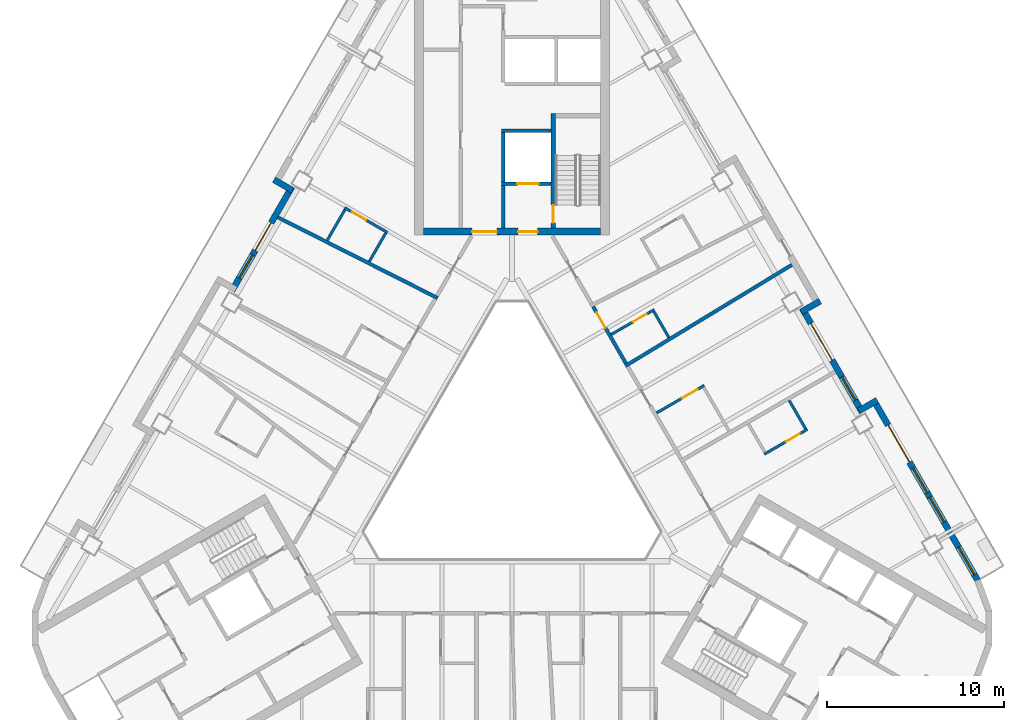
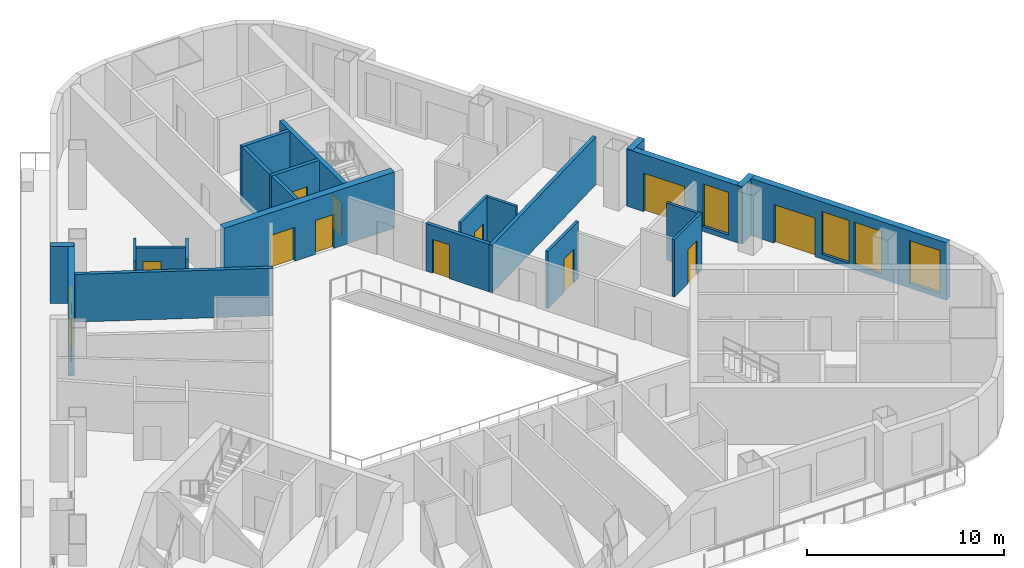
# One storey, part 6 of 14: 23 walls, 12 doors, 5 windows, 17 openings.
"""IFC4 building model written with IfcOpenShell, lengths in metres."""

import ifcopenshell
import ifcopenshell.guid

model = None  # the IFC model being written
_history = None  # IfcOwnerHistory: only IFC2X3 demands one
_inside = {}  # id of a spatial element -> (the spatial element, [elements in it])
_under = {}  # id of a project, library or spatial element -> (it, [spatial elements below it])
_declared = {}  # id of a project -> (the project, [libraries it declares])
_typed = {}  # id of a type object -> (the type object, [elements of that type])
_made_of = {}  # id of a material, layer set ... -> (it, [elements and type objects made of it])


def new_model(schema):
    """Start an empty IFC model of exactly this schema.

    Asked for "IFC4X3", IfcOpenShell would pick the latest addendum, in which some entities
    have other attributes; the version numbers below select the first issue.
    IFC2X3 requires an IfcOwnerHistory on every rooted entity: one is made here for all.
    """
    global model, _history
    if schema == "IFC4X3":
        model = ifcopenshell.file(schema_version=(4, 3, 0, 0))
    else:
        model = ifcopenshell.file(schema=schema)
    _inside.clear()
    _under.clear()
    _declared.clear()
    _typed.clear()
    _made_of.clear()
    _history = None
    if model.schema == "IFC2X3":
        org = make("IfcOrganization", Name="unknown")
        user = make(
            "IfcPersonAndOrganization",
            ThePerson=make("IfcPerson", FamilyName="unknown"),
            TheOrganization=org,
        )
        app = make(
            "IfcApplication",
            ApplicationDeveloper=org,
            Version="unknown",
            ApplicationFullName="unknown",
            ApplicationIdentifier="unknown",
        )
        _history = make(
            "IfcOwnerHistory",
            OwningUser=user,
            OwningApplication=app,
            ChangeAction="ADDED",
            CreationDate=0,
        )
    return model


def make(cls, **values):
    """One entity of the class cls with the attributes given. An attribute that is None is left unset."""
    return model.create_entity(
        cls, **{name: value for name, value in values.items() if value is not None}
    )


def rooted(cls, **values):
    """An entity with a GlobalId (a new one), such as an element, a storey or a relation."""
    return make(cls, GlobalId=ifcopenshell.guid.new(), OwnerHistory=_history, **values)


def si_unit(unit_type, name, prefix=None):
    """IfcSIUnit, for example si_unit("LENGTHUNIT", "METRE", prefix="MILLI")."""
    return make("IfcSIUnit", UnitType=unit_type, Prefix=prefix, Name=name)


def assignment(units):
    """IfcUnitAssignment: the units of a project."""
    return None if units is None else make("IfcUnitAssignment", Units=units)


def point(xyz):
    """IfcCartesianPoint."""
    return None if xyz is None else make("IfcCartesianPoint", Coordinates=xyz)


def direction(xyz):
    """IfcDirection."""
    return None if xyz is None else make("IfcDirection", DirectionRatios=xyz)


def frame(location, z_axis=None, x_axis=None):
    """IfcAxis2Placement3D, a coordinate frame: its origin and axes. An axis left out is left unset."""
    return make(
        "IfcAxis2Placement3D",
        Location=point(location),
        Axis=direction(z_axis),
        RefDirection=direction(x_axis),
    )


def frame_2d(location, x_axis=None):
    """IfcAxis2Placement2D, a coordinate frame in the plane: its origin and x axis."""
    return make(
        "IfcAxis2Placement2D", Location=point(location), RefDirection=direction(x_axis)
    )


def origin():
    """The frame at (0, 0, 0) with its axes left unset."""
    return frame((0.0, 0.0, 0.0))


def place(relative_to, where):
    """IfcLocalPlacement: puts the frame where relative to a parent placement (None: the world)."""
    return make(
        "IfcLocalPlacement", PlacementRelTo=relative_to, RelativePlacement=where
    )


def context(
    kind, dimensions, precision=None, world=None, true_north=None, identifier=None
):
    """IfcGeometricRepresentationContext, for example the 3D "Model" context."""
    return make(
        "IfcGeometricRepresentationContext",
        ContextIdentifier=identifier,
        ContextType=kind,
        CoordinateSpaceDimension=dimensions,
        Precision=precision,
        WorldCoordinateSystem=world,
        TrueNorth=true_north,
    )


def subcontext(parent, identifier, kind, view, scale=None):
    """IfcGeometricRepresentationSubContext, for example "Body" below "Model"."""
    return make(
        "IfcGeometricRepresentationSubContext",
        ContextIdentifier=identifier,
        ContextType=kind,
        ParentContext=parent,
        TargetScale=scale,
        TargetView=view,
    )


def project(units=None, contexts=None):
    """IfcProject with its units and contexts."""
    return rooted(
        "IfcProject",
        Name="project",
        RepresentationContexts=contexts,
        UnitsInContext=assignment(units),
    )


def spatial(cls, under=None, at=None, **own):
    """A site, building, storey or space (cls), placed at a placement, below another one or the project."""
    s = rooted(cls, ObjectPlacement=at, **own)
    if under is not None:
        _under.setdefault(under.id(), (under, []))[1].append(s)
    return s


def profile(cls, at=None, kind="AREA", **sizes):
    """A parametric profile (cls). Its sizes go by their IFC names, for example OverallWidth=200.0."""
    return make(cls, ProfileType=kind, Position=at, **sizes)


def rectangle(**sizes):
    """IfcRectangleProfileDef."""
    return profile("IfcRectangleProfileDef", **sizes)


def extrude(swept, where, along, depth):
    """IfcExtrudedAreaSolid: the profile swept, set in the frame where, extruded along a direction by depth."""
    return make(
        "IfcExtrudedAreaSolid",
        SweptArea=swept,
        Position=where,
        ExtrudedDirection=direction(along),
        Depth=depth,
    )


def shape(context_of_items, identifier, shape_type, items):
    """IfcShapeRepresentation: the items that make up one representation, for example the "Body"."""
    return make(
        "IfcShapeRepresentation",
        ContextOfItems=context_of_items,
        RepresentationIdentifier=identifier,
        RepresentationType=shape_type,
        Items=items,
    )


def material(Name=None, Category=None):
    """IfcMaterial."""
    return make("IfcMaterial", Name=Name, Category=Category)


def layer(
    of_material, thickness, ventilated=None, Name=None, Category=None, Priority=None
):
    """IfcMaterialLayer: one layer of a wall or slab, of a material (None: an air gap)."""
    return make(
        "IfcMaterialLayer",
        Material=of_material,
        LayerThickness=thickness,
        IsVentilated=ventilated,
        Name=Name,
        Category=Category,
        Priority=Priority,
    )


def layer_set(layers, Name=None):
    """IfcMaterialLayerSet."""
    return make("IfcMaterialLayerSet", MaterialLayers=layers, LayerSetName=Name)


def made_of(thing, what):
    """Note that an element or type object is made of a material, layer set ...; save() writes the relation."""
    if what is not None:
        _made_of.setdefault(what.id(), (what, []))[1].append(thing)
    return thing


def type_object(cls, material=None, **own):
    """A type object (cls), such as IfcWallType, which elements share."""
    return made_of(rooted(cls, **own), material)


def element(
    cls,
    number,
    at=None,
    inside=None,
    cuts=None,
    type_object=None,
    material=None,
    context=None,
    identifier="Body",
    shape_type=None,
    held_by="IfcProductDefinitionShape",
    body=None,
    shapes=None,
    **own,
):
    """One element of the class cls, such as IfcWall. Its Tag is "e" and its number.

    at: its placement. inside: the storey or other place that contains it. cuts: it is an
    opening in that element (IfcRelVoidsElement). A single representation is given by context,
    identifier, shape_type and body (its items); several are given by shapes. held_by: the class
    of the entity that holds the representations. save() writes the other relations.
    """
    e = rooted(cls, Tag="e%d" % number, ObjectPlacement=at, **own)
    if body is not None:
        shapes = [shape(context, identifier, shape_type, body)]
    if shapes is not None:
        e.Representation = make(held_by, Representations=shapes)
    if inside is not None:
        _inside.setdefault(inside.id(), (inside, []))[1].append(e)
    if cuts is not None:
        rooted(
            "IfcRelVoidsElement", RelatingBuildingElement=cuts, RelatedOpeningElement=e
        )
    if type_object is not None:
        _typed.setdefault(type_object.id(), (type_object, []))[1].append(e)
    return made_of(e, material)


def fill(opening, filler):
    """IfcRelFillsElement: the door or window that sits in an opening."""
    return rooted(
        "IfcRelFillsElement",
        RelatingOpeningElement=opening,
        RelatedBuildingElement=filler,
    )


def aggregate(whole, parts):
    """IfcRelAggregates: a whole, such as a stair, and the parts it consists of."""
    return rooted("IfcRelAggregates", RelatingObject=whole, RelatedObjects=parts)


def save(model, path):
    """Write the relations noted so far, then the file.

    IfcRelAggregates (storeys below a building ...), IfcRelContainedInSpatialStructure (elements
    in a storey), IfcRelDefinesByType, IfcRelAssociatesMaterial and IfcRelDeclares: one each for
    every whole, place, type object, material and project.
    """
    for whole, parts in _under.values():
        aggregate(whole, parts)
    for where, things in _inside.values():
        rooted(
            "IfcRelContainedInSpatialStructure",
            RelatedElements=things,
            RelatingStructure=where,
        )
    for kind, things in _typed.values():
        rooted("IfcRelDefinesByType", RelatedObjects=things, RelatingType=kind)
    for what, things in _made_of.values():
        rooted("IfcRelAssociatesMaterial", RelatedObjects=things, RelatingMaterial=what)
    for by, libraries in _declared.values():
        rooted("IfcRelDeclares", RelatingContext=by, RelatedDefinitions=libraries)
    model.write(path)


model = new_model("IFC4")

# Units and contexts
model_context = context("Model", 3, precision=1e-05, world=origin(), true_north=direction((0.0, 1.0)))
body_context = subcontext(model_context, "Body", "Model", "MODEL_VIEW")
ifc_project = project(units=[si_unit("LENGTHUNIT", "METRE"), si_unit("AREAUNIT", "SQUARE_METRE"), si_unit("VOLUMEUNIT", "CUBIC_METRE"), si_unit("PLANEANGLEUNIT", "RADIAN"), si_unit("MASSUNIT", "GRAM", prefix="KILO")], contexts=[model_context])

# Site, building, storey
site_placement = place(None, origin())
site = spatial("IfcSite", under=ifc_project, at=site_placement, CompositionType="ELEMENT")
building_placement = place(site_placement, origin())
building = spatial("IfcBuilding", under=site, at=building_placement, Name="Apuvela Tower Hotel", CompositionType="ELEMENT")
storey_placement = place(building_placement, frame((0.0, 0.0, 87.199951171875)))
storey = spatial("IfcBuildingStorey", under=building, at=storey_placement, Name="L19", CompositionType="ELEMENT", Elevation=87.199951171875)

# Wall, openings, doors
ifc_material_1 = material(Name="Concrete C50/60", Category="concrete")
ifc_layer_1 = layer(ifc_material_1, 0.39990234375)
ifc_layer_set_1 = layer_set([ifc_layer_1], Name="COR-WALL-CORE-400")
wall_type_1 = type_object("IfcWallType", Name="COR-WALL-CORE-400", PredefinedType="SHEAR", material=ifc_layer_set_1)
wall_1_placement = place(storey_placement, frame((5.0, 13.10009765625, 0.0), z_axis=(0.0, 0.0, 1.0), x_axis=(-1.0, 0.0, 0.0)))
wall_1 = element("IfcWall", 1, at=wall_1_placement, inside=storey, type_object=wall_type_1, Name="Core wall N", PredefinedType="SHEAR", context=body_context, shape_type="SweptSolid", body=[
    extrude(rectangle(XDim=10.0, YDim=0.39990234375, at=frame_2d((5.0, 0.0))), origin(), (0.0, 0.0, 1.0), 3.5),
])
opening_1_placement = place(wall_1_placement, frame((3.550048828125, 0.0, 0.0)))
opening_1 = element("IfcOpeningElement", 2, at=opening_1_placement, cuts=wall_1, Name="Opening N-FD", PredefinedType="OPENING", context=body_context, shape_type="SweptSolid", body=[
    extrude(rectangle(XDim=1.10009765625, YDim=2.10009765625, at=frame_2d((0.550048828125, 1.050048828125))), frame((0.0, 0.2099609375, 0.0), z_axis=(0.0, -1.0, 0.0), x_axis=(1.0, 0.0, 0.0)), (0.0, 0.0, 1.0), 0.419921875),
])
opening_2_placement = place(wall_1_placement, frame((5.85009765625, 0.0, 0.0)))
opening_2 = element("IfcOpeningElement", 3, at=opening_2_placement, cuts=wall_1, Name="Opening N-GD", PredefinedType="OPENING", context=body_context, shape_type="SweptSolid", body=[
    extrude(rectangle(XDim=1.39990234375, YDim=2.10009765625, at=frame_2d((0.699951171875, 1.050048828125))), frame((0.0, 0.2099609375, 0.0), z_axis=(0.0, -1.0, 0.0), x_axis=(1.0, 0.0, 0.0)), (0.0, 0.0, 1.0), 0.419921875),
])
ifc_material_2 = material(Name="Steel fire door, powder coated", Category="steel")
door_type_1 = type_object("IfcDoorType", Name="COR-FD-1100", OperationType="NOTDEFINED", PredefinedType="DOOR", material=ifc_material_2)
door_1_placement = place(opening_1_placement, frame((1.10009765625, 0.0, 0.0), z_axis=(0.0, 0.0, 1.0), x_axis=(-1.0, 0.0, 0.0)))
door_1 = element("IfcDoor", 4, at=door_1_placement, inside=storey, type_object=door_type_1, Name="Firefighting lobby door N-FD", OperationType="SINGLE_SWING_LEFT", OverallHeight=2.10009765625, OverallWidth=1.10009765625, PredefinedType="DOOR", context=body_context, shape_type="SweptSolid", body=[
    extrude(rectangle(XDim=1.10009765625, YDim=2.10009765625, at=frame_2d((0.550048828125, 1.050048828125))), frame((0.0, 0.02490234375, 0.0), z_axis=(0.0, -1.0, 0.0), x_axis=(1.0, 0.0, 0.0)), (0.0, 0.0, 1.0), 0.050048828125),
])
fill(opening_1, door_1)
ifc_material_3 = material(Name="Glazed steel fire door", Category="steel")
door_type_2 = type_object("IfcDoorType", Name="COR-GD-1400", OperationType="DOUBLE_DOOR_SINGLE_SWING", PredefinedType="DOOR", material=ifc_material_3)
door_2_placement = place(opening_2_placement, frame((1.39990234375, 0.0, 0.0), z_axis=(0.0, 0.0, 1.0), x_axis=(-1.0, 0.0, 0.0)))
door_2 = element("IfcDoor", 5, at=door_2_placement, inside=storey, type_object=door_type_2, Name="Lift lobby door N-GD", OperationType="DOUBLE_DOOR_SINGLE_SWING", OverallHeight=2.10009765625, OverallWidth=1.39990234375, PredefinedType="DOOR", context=body_context, shape_type="SweptSolid", body=[
    extrude(rectangle(XDim=1.39990234375, YDim=2.10009765625, at=frame_2d((0.699951171875, 1.050048828125))), frame((0.0, 0.02490234375, 0.0), z_axis=(0.0, -1.0, 0.0), x_axis=(1.0, 0.0, 0.0)), (0.0, 0.0, 1.0), 0.050048828125),
])
fill(opening_2, door_2)

# Wall
ifc_layer_2 = layer(ifc_material_1, 0.199951171875)
ifc_layer_set_2 = layer_set([ifc_layer_2], Name="COR-WALL-SHAFT-200")
wall_type_2 = type_object("IfcWallType", Name="COR-WALL-SHAFT-200", PredefinedType="SHEAR", material=ifc_layer_set_2)
wall_2_placement = place(storey_placement, frame((2.199951171875, 18.800048828125, 0.0), z_axis=(0.0, 0.0, 1.0), x_axis=(-1.0, 0.0, 0.0)))
element("IfcWall", 6, at=wall_2_placement, inside=storey, type_object=wall_type_2, Name="Shaft wall N", PredefinedType="SHEAR", context=body_context, shape_type="SweptSolid", body=[
    extrude(rectangle(XDim=2.800048828125, YDim=0.199951171875, at=frame_2d((1.39990234375, 0.0))), origin(), (0.0, 0.0, 1.0), 3.5),
])

# Wall, opening, door
wall_3_placement = place(storey_placement, frame((2.199951171875, 15.800048828125, 0.0), z_axis=(0.0, 0.0, 1.0), x_axis=(-1.0, 0.0, 0.0)))
wall_3 = element("IfcWall", 7, at=wall_3_placement, inside=storey, type_object=wall_type_2, Name="Shaft wall N", PredefinedType="SHEAR", context=body_context, shape_type="SweptSolid", body=[
    extrude(rectangle(XDim=2.800048828125, YDim=0.199951171875, at=frame_2d((1.39990234375, 0.0))), origin(), (0.0, 0.0, 1.0), 3.5),
])
opening_3_placement = place(wall_3_placement, frame((0.699951171875, 0.0, 0.0)))
opening_3 = element("IfcOpeningElement", 8, at=opening_3_placement, cuts=wall_3, Name="Opening N-LD-FS1", PredefinedType="OPENING", context=body_context, shape_type="SweptSolid", body=[
    extrude(rectangle(XDim=1.199951171875, YDim=2.10009765625, at=frame_2d((0.60009765625, 1.050048828125))), frame((0.0, 0.10986328125, 0.0), z_axis=(0.0, -1.0, 0.0), x_axis=(1.0, 0.0, 0.0)), (0.0, 0.0, 1.0), 0.219970703125),
])
ifc_material_4 = material(Name="Stainless steel lift landing door", Category="steel")
door_type_3 = type_object("IfcDoorType", Name="COR-LD-1200", OperationType="DOUBLE_DOOR_SLIDING", PredefinedType="DOOR", material=ifc_material_4)
door_3_placement = place(opening_3_placement, origin())
door_3 = element("IfcDoor", 9, at=door_3_placement, inside=storey, type_object=door_type_3, Name="Lift landing door N-LD-FS1", OperationType="DOUBLE_DOOR_SLIDING", OverallHeight=2.10009765625, OverallWidth=1.199951171875, PredefinedType="DOOR", context=body_context, shape_type="SweptSolid", body=[
    extrude(rectangle(XDim=1.199951171875, YDim=2.10009765625, at=frame_2d((0.60009765625, 1.050048828125))), frame((0.0, 0.02490234375, 0.0), z_axis=(0.0, -1.0, 0.0), x_axis=(1.0, 0.0, 0.0)), (0.0, 0.0, 1.0), 0.050048828125),
])
fill(opening_3, door_3)

# Walls
wall_4_placement = place(storey_placement, frame((-0.5, 15.89990234375, 0.0), z_axis=(0.0, 0.0, 1.0), x_axis=(0.0, 1.0, 0.0)))
element("IfcWall", 10, at=wall_4_placement, inside=storey, type_object=wall_type_2, Name="Shaft wall N", PredefinedType="SHEAR", context=body_context, shape_type="SweptSolid", body=[
    extrude(rectangle(XDim=2.800048828125, YDim=0.199951171875, at=frame_2d((1.39990234375, 0.0))), origin(), (0.0, 0.0, 1.0), 3.5),
])
wall_5_placement = place(storey_placement, frame((-0.5, 13.300048828125, 0.0), z_axis=(0.0, 0.0, 1.0), x_axis=(0.0, 1.0, 0.0)))
element("IfcWall", 11, at=wall_5_placement, inside=storey, type_object=wall_type_2, Name="Shaft wall N", PredefinedType="SHEAR", context=body_context, shape_type="SweptSolid", body=[
    extrude(rectangle(XDim=2.39990234375, YDim=0.199951171875, at=frame_2d((1.199951171875, 0.0))), origin(), (0.0, 0.0, 1.0), 3.5),
])

# Wall, opening, door
ifc_layer_3 = layer(ifc_material_1, 0.25)
ifc_layer_set_3 = layer_set([ifc_layer_3], Name="COR-WALL-STAIR-250")
wall_type_3 = type_object("IfcWallType", Name="COR-WALL-STAIR-250", PredefinedType="SHEAR", material=ifc_layer_set_3)
wall_6_placement = place(storey_placement, frame((2.324951171875, 13.300048828125, 0.0), z_axis=(0.0, 0.0, 1.0), x_axis=(0.0, 1.0, 0.0)))
wall_6 = element("IfcWall", 12, at=wall_6_placement, inside=storey, type_object=wall_type_3, Name="Stair wall N", PredefinedType="SHEAR", context=body_context, shape_type="SweptSolid", body=[
    extrude(rectangle(XDim=6.449951171875, YDim=0.25, at=frame_2d((3.22509765625, 0.0))), origin(), (0.0, 0.0, 1.0), 3.5),
])
opening_4_placement = place(wall_6_placement, frame((0.300048828125, 0.0, 0.0)))
opening_4 = element("IfcOpeningElement", 13, at=opening_4_placement, cuts=wall_6, Name="Opening N-SD", PredefinedType="OPENING", context=body_context, shape_type="SweptSolid", body=[
    extrude(rectangle(XDim=1.0, YDim=2.10009765625, at=frame_2d((0.5, 1.050048828125))), frame((0.0, 0.135009765625, 0.0), z_axis=(0.0, -1.0, 0.0), x_axis=(1.0, 0.0, 0.0)), (0.0, 0.0, 1.0), 0.27001953125),
])
door_type_4 = type_object("IfcDoorType", Name="COR-SD-1000", OperationType="NOTDEFINED", PredefinedType="DOOR", material=ifc_material_2)
door_4_placement = place(opening_4_placement, frame((1.0, 0.0, 0.0), z_axis=(0.0, 0.0, 1.0), x_axis=(-1.0, 0.0, 0.0)))
door_4 = element("IfcDoor", 14, at=door_4_placement, inside=storey, type_object=door_type_4, Name="Stair door N-SD", OperationType="SINGLE_SWING_LEFT", OverallHeight=2.10009765625, OverallWidth=1.0, PredefinedType="DOOR", context=body_context, shape_type="SweptSolid", body=[
    extrude(rectangle(XDim=1.0, YDim=2.10009765625, at=frame_2d((0.5, 1.050048828125))), frame((0.0, 0.02490234375, 0.0), z_axis=(0.0, -1.0, 0.0), x_axis=(1.0, 0.0, 0.0)), (0.0, 0.0, 1.0), 0.050048828125),
])
fill(opening_4, door_4)

# Wall
ifc_material_5 = material(Name="Concrete C40/50, dark pigmented precast panel", Category="concrete")
ifc_layer_4 = layer(ifc_material_5, 0.35009765625)
ifc_layer_set_4 = layer_set([ifc_layer_4], Name="ENV-WALL-350")
wall_type_4 = type_object("IfcWallType", Name="ENV-WALL-350", PredefinedType="SOLIDWALL", material=ifc_layer_set_4)
wall_7_placement = place(storey_placement, frame((-13.41259765625, 16.02880859375, 0.0), z_axis=(0.0, 0.0, 1.0), x_axis=(0.866005645448, -0.500034220881, 0.0)))
element("IfcWall", 15, at=wall_7_placement, inside=storey, type_object=wall_type_4, Name="External wall L19-02", PredefinedType="SOLIDWALL", context=body_context, shape_type="SweptSolid", body=[
    extrude(rectangle(XDim=1.22021484375, YDim=0.35009765625, at=frame_2d((0.610107421875, 0.0))), origin(), (0.0, 0.0, 1.0), 3.550048828125),
])

# Wall, openings, door, window
wall_8_placement = place(storey_placement, frame((-12.408935546875, 15.616943359375, 0.0), z_axis=(0.0, 0.0, 1.0), x_axis=(-0.500003597184, -0.866023326939, 0.0)))
wall_8 = element("IfcWall", 16, at=wall_8_placement, inside=storey, type_object=wall_type_4, Name="External wall L19-03", PredefinedType="SOLIDWALL", context=body_context, shape_type="SweptSolid", body=[
    extrude(rectangle(XDim=6.740234375, YDim=0.35009765625, at=frame_2d((3.3701171875, 0.0))), origin(), (0.0, 0.0, 1.0), 3.550048828125),
])
opening_5_placement = place(wall_8_placement, frame((2.320068359375, 0.0, 0.0)))
opening_5 = element("IfcOpeningElement", 17, at=opening_5_placement, cuts=wall_8, Name="Opening BD18", PredefinedType="OPENING", context=body_context, shape_type="SweptSolid", body=[
    extrude(rectangle(XDim=1.800048828125, YDim=2.39990234375, at=frame_2d((0.89990234375, 1.199951171875))), frame((0.0, 0.18505859375, 0.0), z_axis=(0.0, -1.0, 0.0), x_axis=(1.0, 0.0, 0.0)), (0.0, 0.0, 1.0), 0.3701171875),
])
opening_6_placement = place(wall_8_placement, frame((4.419921875, 0.0, 0.300048828125)))
opening_6 = element("IfcOpeningElement", 18, at=opening_6_placement, cuts=wall_8, Name="Opening WN15", PredefinedType="OPENING", context=body_context, shape_type="SweptSolid", body=[
    extrude(rectangle(XDim=1.5, YDim=2.64990234375, at=frame_2d((0.75, 1.324951171875))), frame((0.0, 0.18505859375, 0.0), z_axis=(0.0, -1.0, 0.0), x_axis=(1.0, 0.0, 0.0)), (0.0, 0.0, 1.0), 0.3701171875),
])
ifc_material_6 = material(Name="Aluminium 6063-T6, dark bronze anodised frame with dark tinted laminated glass", Category="aluminium")
door_type_5 = type_object("IfcDoorType", Name="ENV-DOOR-BALCONY-1800x2400", OperationType="SLIDING_TO_LEFT", PredefinedType="DOOR", material=ifc_material_6)
door_5_placement = place(opening_5_placement, frame((1.800048828125, 0.0, 0.0), z_axis=(0.0, 0.0, 1.0), x_axis=(-1.0, 0.0, 0.0)))
door_5 = element("IfcDoor", 19, at=door_5_placement, inside=storey, type_object=door_type_5, Name="Balcony door BD18", OperationType="SLIDING_TO_LEFT", OverallHeight=2.39990234375, OverallWidth=1.800048828125, PredefinedType="DOOR", context=body_context, shape_type="SweptSolid", body=[
    extrude(rectangle(XDim=1.800048828125, YDim=2.39990234375, at=frame_2d((0.89990234375, 1.199951171875))), frame((0.0, 0.02490234375, 0.0), z_axis=(0.0, -1.0, 0.0), x_axis=(1.0, 0.0, 0.0)), (0.0, 0.0, 1.0), 0.050048828125),
])
fill(opening_5, door_5)
ifc_material_7 = material(Name="Glass, dark tinted laminated insulated glazing unit", Category="glass")
window_type_1 = type_object("IfcWindowType", Name="ENV-WIN-1500x2650", PartitioningType="SINGLE_PANEL", PredefinedType="WINDOW", material=ifc_material_7)
window_1_placement = place(opening_6_placement, origin())
window_1 = element("IfcWindow", 20, at=window_1_placement, inside=storey, type_object=window_type_1, Name="Window WN15", OverallHeight=2.64990234375, OverallWidth=1.5, PartitioningType="SINGLE_PANEL", PredefinedType="WINDOW", context=body_context, shape_type="SweptSolid", body=[
    extrude(rectangle(XDim=1.5, YDim=2.64990234375, at=frame_2d((0.75, 1.324951171875))), frame((0.0, 0.030029296875, 0.0), z_axis=(0.0, -1.0, 0.0), x_axis=(1.0, 0.0, 0.0)), (0.0, 0.0, 1.0), 0.06005859375),
])
fill(opening_6, window_1)

# Wall, openings, door, windows
wall_9_placement = place(storey_placement, frame((26.256591796875, -6.5673828125, 0.0), z_axis=(0.0, 0.0, 1.0), x_axis=(-0.500023526245, 0.866011820475, 0.0)))
wall_9 = element("IfcWall", 21, at=wall_9_placement, inside=storey, type_object=wall_type_4, Name="External wall L19-33", PredefinedType="SOLIDWALL", context=body_context, shape_type="SweptSolid", body=[
    extrude(rectangle(XDim=11.81591796875, YDim=0.35009765625, at=frame_2d((5.907958984375, 0.0))), origin(), (0.0, 0.0, 1.0), 3.550048828125),
])
opening_7_placement = place(wall_9_placement, frame((0.380126953125, 0.0, 0.300048828125)))
opening_7 = element("IfcOpeningElement", 22, at=opening_7_placement, cuts=wall_9, Name="Opening WN18", PredefinedType="OPENING", context=body_context, shape_type="SweptSolid", body=[
    extrude(rectangle(XDim=1.800048828125, YDim=2.64990234375, at=frame_2d((0.89990234375, 1.324951171875))), frame((0.0, 0.18505859375, 0.0), z_axis=(0.0, -1.0, 0.0), x_axis=(1.0, 0.0, 0.0)), (0.0, 0.0, 1.0), 0.3701171875),
])
opening_8_placement = place(wall_9_placement, frame((7.71630859375, 0.0, 0.0)))
opening_8 = element("IfcOpeningElement", 23, at=opening_8_placement, cuts=wall_9, Name="Opening BD24", PredefinedType="OPENING", context=body_context, shape_type="SweptSolid", body=[
    extrude(rectangle(XDim=2.39990234375, YDim=2.39990234375, at=frame_2d((1.199951171875, 1.199951171875))), frame((0.0, 0.18505859375, 0.0), z_axis=(0.0, -1.0, 0.0), x_axis=(1.0, 0.0, 0.0)), (0.0, 0.0, 1.0), 0.3701171875),
])
opening_9_placement = place(wall_9_placement, frame((3.81591796875, 0.0, 0.300048828125)))
opening_9 = element("IfcOpeningElement", 24, at=opening_9_placement, cuts=wall_9, Name="Opening WN16", PredefinedType="OPENING", context=body_context, shape_type="SweptSolid", body=[
    extrude(rectangle(XDim=1.60009765625, YDim=2.64990234375, at=frame_2d((0.800048828125, 1.324951171875))), frame((0.0, 0.18505859375, 0.0), z_axis=(0.0, -1.0, 0.0), x_axis=(1.0, 0.0, 0.0)), (0.0, 0.0, 1.0), 0.3701171875),
])
opening_10_placement = place(wall_9_placement, frame((5.7158203125, 0.0, 0.300048828125)))
opening_10 = element("IfcOpeningElement", 25, at=opening_10_placement, cuts=wall_9, Name="Opening WN16", PredefinedType="OPENING", context=body_context, shape_type="SweptSolid", body=[
    extrude(rectangle(XDim=1.60009765625, YDim=2.64990234375, at=frame_2d((0.800048828125, 1.324951171875))), frame((0.0, 0.18505859375, 0.0), z_axis=(0.0, -1.0, 0.0), x_axis=(1.0, 0.0, 0.0)), (0.0, 0.0, 1.0), 0.3701171875),
])
door_type_6 = type_object("IfcDoorType", Name="ENV-DOOR-BALCONY-2400x2400", OperationType="SLIDING_TO_LEFT", PredefinedType="DOOR", material=ifc_material_6)
door_6_placement = place(opening_8_placement, frame((2.39990234375, 0.0, 0.0), z_axis=(0.0, 0.0, 1.0), x_axis=(-1.0, 0.0, 0.0)))
door_6 = element("IfcDoor", 26, at=door_6_placement, inside=storey, type_object=door_type_6, Name="Balcony door BD24", OperationType="SLIDING_TO_LEFT", OverallHeight=2.39990234375, OverallWidth=2.39990234375, PredefinedType="DOOR", context=body_context, shape_type="SweptSolid", body=[
    extrude(rectangle(XDim=2.39990234375, YDim=2.39990234375, at=frame_2d((1.199951171875, 1.199951171875))), frame((0.0, 0.02490234375, 0.0), z_axis=(0.0, -1.0, 0.0), x_axis=(1.0, 0.0, 0.0)), (0.0, 0.0, 1.0), 0.050048828125),
])
fill(opening_8, door_6)
window_type_2 = type_object("IfcWindowType", Name="ENV-WIN-1600x2650", PartitioningType="SINGLE_PANEL", PredefinedType="WINDOW", material=ifc_material_7)
window_2_placement = place(opening_9_placement, origin())
window_2 = element("IfcWindow", 27, at=window_2_placement, inside=storey, type_object=window_type_2, Name="Window WN16", OverallHeight=2.64990234375, OverallWidth=1.60009765625, PartitioningType="SINGLE_PANEL", PredefinedType="WINDOW", context=body_context, shape_type="SweptSolid", body=[
    extrude(rectangle(XDim=1.60009765625, YDim=2.64990234375, at=frame_2d((0.800048828125, 1.324951171875))), frame((0.0, 0.030029296875, 0.0), z_axis=(0.0, -1.0, 0.0), x_axis=(1.0, 0.0, 0.0)), (0.0, 0.0, 1.0), 0.06005859375),
])
fill(opening_9, window_2)
window_3_placement = place(opening_10_placement, origin())
window_3 = element("IfcWindow", 28, at=window_3_placement, inside=storey, type_object=window_type_2, Name="Window WN16", OverallHeight=2.64990234375, OverallWidth=1.60009765625, PartitioningType="SINGLE_PANEL", PredefinedType="WINDOW", context=body_context, shape_type="SweptSolid", body=[
    extrude(rectangle(XDim=1.60009765625, YDim=2.64990234375, at=frame_2d((0.800048828125, 1.324951171875))), frame((0.0, 0.030029296875, 0.0), z_axis=(0.0, -1.0, 0.0), x_axis=(1.0, 0.0, 0.0)), (0.0, 0.0, 1.0), 0.06005859375),
])
fill(opening_10, window_3)
window_type_3 = type_object("IfcWindowType", Name="ENV-WIN-1800x2650", PartitioningType="SINGLE_PANEL", PredefinedType="WINDOW", material=ifc_material_7)
window_4_placement = place(opening_7_placement, origin())
window_4 = element("IfcWindow", 29, at=window_4_placement, inside=storey, type_object=window_type_3, Name="Window WN18", OverallHeight=2.64990234375, OverallWidth=1.800048828125, PartitioningType="SINGLE_PANEL", PredefinedType="WINDOW", context=body_context, shape_type="SweptSolid", body=[
    extrude(rectangle(XDim=1.800048828125, YDim=2.64990234375, at=frame_2d((0.89990234375, 1.324951171875))), frame((0.0, 0.030029296875, 0.0), z_axis=(0.0, -1.0, 0.0), x_axis=(1.0, 0.0, 0.0)), (0.0, 0.0, 1.0), 0.06005859375),
])
fill(opening_7, window_4)

# Wall
wall_10_placement = place(storey_placement, frame((20.587646484375, 3.601318359375, 0.0), z_axis=(0.0, 0.0, 1.0), x_axis=(-0.866005645448, -0.500034220881, 0.0)))
element("IfcWall", 30, at=wall_10_placement, inside=storey, type_object=wall_type_4, Name="External wall L19-34", PredefinedType="SOLIDWALL", context=body_context, shape_type="SweptSolid", body=[
    extrude(rectangle(XDim=1.22021484375, YDim=0.35009765625, at=frame_2d((0.610107421875, 0.0))), origin(), (0.0, 0.0, 1.0), 3.550048828125),
])

# Wall, openings, door, window
wall_11_placement = place(storey_placement, frame((19.72900390625, 2.93798828125, 0.0), z_axis=(0.0, 0.0, 1.0), x_axis=(-0.499976430342, 0.866039011305, 0.0)))
wall_11 = element("IfcWall", 31, at=wall_11_placement, inside=storey, type_object=wall_type_4, Name="External wall L19-35", PredefinedType="SOLIDWALL", context=body_context, shape_type="SweptSolid", body=[
    extrude(rectangle(XDim=6.739990234375, YDim=0.35009765625, at=frame_2d((3.3701171875, 0.0))), origin(), (0.0, 0.0, 1.0), 3.550048828125),
])
opening_11_placement = place(wall_11_placement, frame((0.77001953125, 0.0, 0.300048828125)))
opening_11 = element("IfcOpeningElement", 32, at=opening_11_placement, cuts=wall_11, Name="Opening WN15", PredefinedType="OPENING", context=body_context, shape_type="SweptSolid", body=[
    extrude(rectangle(XDim=1.5, YDim=2.64990234375, at=frame_2d((0.75, 1.324951171875))), frame((0.0, 0.18505859375, 0.0), z_axis=(0.0, -1.0, 0.0), x_axis=(1.0, 0.0, 0.0)), (0.0, 0.0, 1.0), 0.3701171875),
])
opening_12_placement = place(wall_11_placement, frame((3.3701171875, 0.0, 0.0)))
opening_12 = element("IfcOpeningElement", 33, at=opening_12_placement, cuts=wall_11, Name="Opening BD24", PredefinedType="OPENING", context=body_context, shape_type="SweptSolid", body=[
    extrude(rectangle(XDim=2.39990234375, YDim=2.39990234375, at=frame_2d((1.199951171875, 1.199951171875))), frame((0.0, 0.18505859375, 0.0), z_axis=(0.0, -1.0, 0.0), x_axis=(1.0, 0.0, 0.0)), (0.0, 0.0, 1.0), 0.3701171875),
])
door_7_placement = place(opening_12_placement, frame((2.39990234375, 0.0, 0.0), z_axis=(0.0, 0.0, 1.0), x_axis=(-1.0, 0.0, 0.0)))
door_7 = element("IfcDoor", 34, at=door_7_placement, inside=storey, type_object=door_type_6, Name="Balcony door BD24", OperationType="SLIDING_TO_LEFT", OverallHeight=2.39990234375, OverallWidth=2.39990234375, PredefinedType="DOOR", context=body_context, shape_type="SweptSolid", body=[
    extrude(rectangle(XDim=2.39990234375, YDim=2.39990234375, at=frame_2d((1.199951171875, 1.199951171875))), frame((0.0, 0.02490234375, 0.0), z_axis=(0.0, -1.0, 0.0), x_axis=(1.0, 0.0, 0.0)), (0.0, 0.0, 1.0), 0.050048828125),
])
fill(opening_12, door_7)
window_5_placement = place(opening_11_placement, origin())
window_5 = element("IfcWindow", 35, at=window_5_placement, inside=storey, type_object=window_type_1, Name="Window WN15", OverallHeight=2.64990234375, OverallWidth=1.5, PartitioningType="SINGLE_PANEL", PredefinedType="WINDOW", context=body_context, shape_type="SweptSolid", body=[
    extrude(rectangle(XDim=1.5, YDim=2.64990234375, at=frame_2d((0.75, 1.324951171875))), frame((0.0, 0.030029296875, 0.0), z_axis=(0.0, -1.0, 0.0), x_axis=(1.0, 0.0, 0.0)), (0.0, 0.0, 1.0), 0.06005859375),
])
fill(opening_11, window_5)

# Walls
wall_12_placement = place(storey_placement, frame((16.305908203125, 8.5771484375, 0.0), z_axis=(0.0, 0.0, 1.0), x_axis=(0.866092288191, 0.499884134912, 0.0)))
element("IfcWall", 36, at=wall_12_placement, inside=storey, type_object=wall_type_4, Name="External wall L19-36", PredefinedType="SOLIDWALL", context=body_context, shape_type="SweptSolid", body=[
    extrude(rectangle(XDim=1.219970703125, YDim=0.35009765625, at=frame_2d((0.60986328125, 0.0))), origin(), (0.0, 0.0, 1.0), 3.550048828125),
])
ifc_material_8 = material(Name="Gypsum board partition on twin steel stud", Category="steel")
ifc_layer_5 = layer(ifc_material_8, 0.199951171875)
ifc_layer_set_5 = layer_set([ifc_layer_5], Name="GST-PW1")
wall_type_5 = type_object("IfcWallType", Name="GST-PW1", PredefinedType="PARTITIONING", material=ifc_layer_set_5)
wall_13_placement = place(storey_placement, frame((15.777099609375, 11.2333984375, 0.0), z_axis=(0.0, 0.0, 1.0), x_axis=(-0.854689239939, -0.519139964877, 0.0)))
element("IfcWall", 37, at=wall_13_placement, inside=storey, type_object=wall_type_5, Name="L19 partition 06", PredefinedType="PARTITIONING", context=body_context, shape_type="SweptSolid", body=[
    extrude(rectangle(XDim=10.98291015625, YDim=0.199951171875, at=frame_2d((5.491455078125, 0.0))), origin(), (0.0, 0.0, 1.0), 2.9599609375),
])
wall_14_placement = place(storey_placement, frame((-13.1923828125, 13.909912109375, 0.0), z_axis=(0.0, 0.0, 1.0), x_axis=(0.892469554868, -0.451107629766, 0.0)))
element("IfcWall", 38, at=wall_14_placement, inside=storey, type_object=wall_type_5, Name="L19 partition 08", PredefinedType="PARTITIONING", context=body_context, shape_type="SweptSolid", body=[
    extrude(rectangle(XDim=10.095703125, YDim=0.199951171875, at=frame_2d((5.0478515625, 0.0))), origin(), (0.0, 0.0, 1.0), 2.9599609375),
])

# Wall, opening, door
ifc_material_9 = material(Name="Gypsum board corridor wall on twin steel stud, acoustic", Category="steel")
ifc_layer_6 = layer(ifc_material_9, 0.199951171875)
ifc_layer_set_6 = layer_set([ifc_layer_6], Name="GST-PW2")
wall_type_6 = type_object("IfcWallType", Name="GST-PW2", PredefinedType="PARTITIONING", material=ifc_layer_set_6)
wall_15_placement = place(storey_placement, frame((4.572021484375, 8.880859375, 0.0), z_axis=(0.0, 0.0, 1.0), x_axis=(0.500041684057, -0.866001336145, 0.0)))
wall_15 = element("IfcWall", 39, at=wall_15_placement, inside=storey, type_object=wall_type_6, Name="L19 partition 35", PredefinedType="PARTITIONING", context=body_context, shape_type="SweptSolid", body=[
    extrude(rectangle(XDim=3.707275390625, YDim=0.199951171875, at=frame_2d((1.853515625, 0.0))), origin(), (0.0, 0.0, 1.0), 2.949951171875),
])
opening_13_placement = place(wall_15_placement, frame((0.39990234375, 0.0, 0.0)))
opening_13 = element("IfcOpeningElement", 40, at=opening_13_placement, cuts=wall_15, Name="Opening GD06-16", PredefinedType="OPENING", context=body_context, shape_type="SweptSolid", body=[
    extrude(rectangle(XDim=1.0, YDim=2.10009765625, at=frame_2d((0.5, 1.050048828125))), frame((0.0, 0.10986328125, 0.0), z_axis=(0.0, -1.0, 0.0), x_axis=(1.0, 0.0, 0.0)), (0.0, 0.0, 1.0), 0.219970703125),
])
ifc_material_10 = material(Name="Timber door leaf in steel frame", Category="steel")
door_type_7 = type_object("IfcDoorType", Name="GST-D1", OperationType="NOTDEFINED", PredefinedType="DOOR", material=ifc_material_10)
door_8_placement = place(opening_13_placement, origin())
door_8 = element("IfcDoor", 41, at=door_8_placement, inside=storey, type_object=door_type_7, Name="Door L19-16", OperationType="SINGLE_SWING_LEFT", OverallHeight=2.10009765625, OverallWidth=1.0, PredefinedType="DOOR", context=body_context, shape_type="SweptSolid", body=[
    extrude(rectangle(XDim=1.0, YDim=2.10009765625, at=frame_2d((0.5, 1.050048828125))), frame((0.0, 0.02490234375, 0.0), z_axis=(0.0, -1.0, 0.0), x_axis=(1.0, 0.0, 0.0)), (0.0, 0.0, 1.0), 0.050048828125),
])
fill(opening_13, door_8)

ifc_material_11 = material(Name="Moisture-resistant gypsum board wet wall on steel stud", Category="steel")
ifc_layer_7 = layer(ifc_material_11, 0.14990234375)
ifc_layer_set_7 = layer_set([ifc_layer_7], Name="GST-PW3")
wall_type_7 = type_object("IfcWallType", Name="GST-PW3", PredefinedType="PARTITIONING", material=ifc_layer_set_7)
wall_16_placement = place(storey_placement, frame((14.224365234375, 0.5625, 0.0), z_axis=(0.0, 0.0, 1.0), x_axis=(0.866018616679, 0.500011755427, 0.0)))
wall_16 = element("IfcWall", 42, at=wall_16_placement, inside=storey, type_object=wall_type_7, Name="L19 partition 29", PredefinedType="PARTITIONING", context=body_context, shape_type="SweptSolid", body=[
    extrude(rectangle(XDim=2.80029296875, YDim=0.14990234375, at=frame_2d((1.400146484375, 0.0))), origin(), (0.0, 0.0, 1.0), 3.550048828125),
])
opening_14_placement = place(wall_16_placement, frame((1.39990234375, 0.0, 0.0)))
opening_14 = element("IfcOpeningElement", 43, at=opening_14_placement, cuts=wall_16, Name="Opening GD06-11", PredefinedType="OPENING", context=body_context, shape_type="SweptSolid", body=[
    extrude(rectangle(XDim=0.89990234375, YDim=2.10009765625, at=frame_2d((0.449951171875, 1.050048828125))), frame((0.0, 0.0849609375, 0.0), z_axis=(0.0, -1.0, 0.0), x_axis=(1.0, 0.0, 0.0)), (0.0, 0.0, 1.0), 0.169921875),
])
door_type_8 = type_object("IfcDoorType", Name="GST-D2", OperationType="NOTDEFINED", PredefinedType="DOOR", material=ifc_material_10)
door_9_placement = place(opening_14_placement, origin())
door_9 = element("IfcDoor", 44, at=door_9_placement, inside=storey, type_object=door_type_8, Name="Door L19-11", OperationType="SINGLE_SWING_RIGHT", OverallHeight=2.10009765625, OverallWidth=0.89990234375, PredefinedType="DOOR", context=body_context, shape_type="SweptSolid", body=[
    extrude(rectangle(XDim=0.89990234375, YDim=2.10009765625, at=frame_2d((0.449951171875, 1.050048828125))), frame((0.0, 0.02490234375, 0.0), z_axis=(0.0, -1.0, 0.0), x_axis=(1.0, 0.0, 0.0)), (0.0, 0.0, 1.0), 0.050048828125),
])
fill(opening_14, door_9)

# Wall
wall_17_placement = place(storey_placement, frame((16.546875, 1.989990234375, 0.0), z_axis=(0.0, 0.0, 1.0), x_axis=(-0.499985172903, 0.866033964044, 0.0)))
element("IfcWall", 45, at=wall_17_placement, inside=storey, type_object=wall_type_7, Name="L19 partition 30", PredefinedType="PARTITIONING", context=body_context, shape_type="SweptSolid", body=[
    extrude(rectangle(XDim=1.85009765625, YDim=0.14990234375, at=frame_2d((0.925048828125, 0.0))), origin(), (0.0, 0.0, 1.0), 3.550048828125),
])

# Wall, opening, door
wall_18_placement = place(storey_placement, frame((10.83349609375, 4.43603515625, 0.0), z_axis=(0.0, 0.0, 1.0), x_axis=(-0.86602952684, -0.49999285859, 0.0)))
wall_18 = element("IfcWall", 46, at=wall_18_placement, inside=storey, type_object=wall_type_7, Name="L19 partition 33", PredefinedType="PARTITIONING", context=body_context, shape_type="SweptSolid", body=[
    extrude(rectangle(XDim=3.10009765625, YDim=0.14990234375, at=frame_2d((1.550048828125, 0.0))), origin(), (0.0, 0.0, 1.0), 3.550048828125),
])
opening_15_placement = place(wall_18_placement, frame((0.449951171875, 0.0, 0.0)))
opening_15 = element("IfcOpeningElement", 47, at=opening_15_placement, cuts=wall_18, Name="Opening GD06-13", PredefinedType="OPENING", context=body_context, shape_type="SweptSolid", body=[
    extrude(rectangle(XDim=1.0, YDim=2.10009765625, at=frame_2d((0.5, 1.050048828125))), frame((0.0, 0.0849609375, 0.0), z_axis=(0.0, -1.0, 0.0), x_axis=(1.0, 0.0, 0.0)), (0.0, 0.0, 1.0), 0.169921875),
])
door_10_placement = place(opening_15_placement, origin())
door_10 = element("IfcDoor", 48, at=door_10_placement, inside=storey, type_object=door_type_7, Name="Door L19-13", OperationType="SINGLE_SWING_LEFT", OverallHeight=2.10009765625, OverallWidth=1.0, PredefinedType="DOOR", context=body_context, shape_type="SweptSolid", body=[
    extrude(rectangle(XDim=1.0, YDim=2.10009765625, at=frame_2d((0.5, 1.050048828125))), frame((0.0, 0.02490234375, 0.0), z_axis=(0.0, -1.0, 0.0), x_axis=(1.0, 0.0, 0.0)), (0.0, 0.0, 1.0), 0.050048828125),
])
fill(opening_15, door_10)

wall_19_placement = place(storey_placement, frame((8.02001953125, 8.708984375, 0.0), z_axis=(0.0, 0.0, 1.0), x_axis=(-0.866034573852, -0.49998411664, 0.0)))
wall_19 = element("IfcWall", 49, at=wall_19_placement, inside=storey, type_object=wall_type_7, Name="L19 partition 36", PredefinedType="PARTITIONING", context=body_context, shape_type="SweptSolid", body=[
    extrude(rectangle(XDim=2.7998046875, YDim=0.14990234375, at=frame_2d((1.39990234375, 0.0))), origin(), (0.0, 0.0, 1.0), 3.550048828125),
])
opening_16_placement = place(wall_19_placement, frame((0.5, 0.0, 0.0)))
opening_16 = element("IfcOpeningElement", 50, at=opening_16_placement, cuts=wall_19, Name="Opening GD06-15", PredefinedType="OPENING", context=body_context, shape_type="SweptSolid", body=[
    extrude(rectangle(XDim=0.89990234375, YDim=2.10009765625, at=frame_2d((0.449951171875, 1.050048828125))), frame((0.0, 0.0849609375, 0.0), z_axis=(0.0, -1.0, 0.0), x_axis=(1.0, 0.0, 0.0)), (0.0, 0.0, 1.0), 0.169921875),
])
door_11_placement = place(opening_16_placement, origin())
door_11 = element("IfcDoor", 51, at=door_11_placement, inside=storey, type_object=door_type_8, Name="Door L19-15", OperationType="SINGLE_SWING_LEFT", OverallHeight=2.10009765625, OverallWidth=0.89990234375, PredefinedType="DOOR", context=body_context, shape_type="SweptSolid", body=[
    extrude(rectangle(XDim=0.89990234375, YDim=2.10009765625, at=frame_2d((0.449951171875, 1.050048828125))), frame((0.0, 0.02490234375, 0.0), z_axis=(0.0, -1.0, 0.0), x_axis=(1.0, 0.0, 0.0)), (0.0, 0.0, 1.0), 0.050048828125),
])
fill(opening_16, door_11)

# Wall
wall_20_placement = place(storey_placement, frame((8.8408203125, 7.13720703125, 0.0), z_axis=(0.0, 0.0, 1.0), x_axis=(-0.500054617923, 0.865993867816, 0.0)))
element("IfcWall", 52, at=wall_20_placement, inside=storey, type_object=wall_type_7, Name="L19 partition 37", PredefinedType="PARTITIONING", context=body_context, shape_type="SweptSolid", body=[
    extrude(rectangle(XDim=1.696533203125, YDim=0.14990234375, at=frame_2d((0.84814453125, 0.0))), origin(), (0.0, 0.0, 1.0), 3.550048828125),
])

# Wall, opening, door
wall_21_placement = place(storey_placement, frame((-7.013427734375, 13.052490234375, 0.0), z_axis=(0.0, 0.0, 1.0), x_axis=(-0.866034573852, 0.49998411664, 0.0)))
wall_21 = element("IfcWall", 53, at=wall_21_placement, inside=storey, type_object=wall_type_7, Name="L19 partition 43", PredefinedType="PARTITIONING", context=body_context, shape_type="SweptSolid", body=[
    extrude(rectangle(XDim=2.7998046875, YDim=0.14990234375, at=frame_2d((1.39990234375, 0.0))), origin(), (0.0, 0.0, 1.0), 2.949951171875),
])
opening_17_placement = place(wall_21_placement, frame((1.39990234375, 0.0, 0.0)))
opening_17 = element("IfcOpeningElement", 54, at=opening_17_placement, cuts=wall_21, Name="Opening GD06-19", PredefinedType="OPENING", context=body_context, shape_type="SweptSolid", body=[
    extrude(rectangle(XDim=0.89990234375, YDim=2.10009765625, at=frame_2d((0.449951171875, 1.050048828125))), frame((0.0, 0.0849609375, 0.0), z_axis=(0.0, -1.0, 0.0), x_axis=(1.0, 0.0, 0.0)), (0.0, 0.0, 1.0), 0.169921875),
])
door_12_placement = place(opening_17_placement, origin())
door_12 = element("IfcDoor", 55, at=door_12_placement, inside=storey, type_object=door_type_8, Name="Door L19-19", OperationType="SINGLE_SWING_RIGHT", OverallHeight=2.10009765625, OverallWidth=0.89990234375, PredefinedType="DOOR", context=body_context, shape_type="SweptSolid", body=[
    extrude(rectangle(XDim=0.89990234375, YDim=2.10009765625, at=frame_2d((0.449951171875, 1.050048828125))), frame((0.0, 0.02490234375, 0.0), z_axis=(0.0, -1.0, 0.0), x_axis=(1.0, 0.0, 0.0)), (0.0, 0.0, 1.0), 0.050048828125),
])
fill(opening_17, door_12)

# Walls
wall_22_placement = place(storey_placement, frame((-9.410888671875, 14.349853515625, 0.0), z_axis=(0.0, 0.0, 1.0), x_axis=(-0.499982900776, -0.866035275801, 0.0)))
element("IfcWall", 56, at=wall_22_placement, inside=storey, type_object=wall_type_7, Name="L19 partition 44", PredefinedType="PARTITIONING", context=body_context, shape_type="SweptSolid", body=[
    extrude(rectangle(XDim=2.00146484375, YDim=0.14990234375, at=frame_2d((1.000732421875, 0.0))), origin(), (0.0, 0.0, 1.0), 3.550048828125),
])
wall_23_placement = place(storey_placement, frame((-7.115966796875, 13.02490234375, 0.0), z_axis=(0.0, 0.0, 1.0), x_axis=(-0.4999770169, -0.866038672677, 0.0)))
element("IfcWall", 57, at=wall_23_placement, inside=storey, type_object=wall_type_7, Name="L19 partition 45", PredefinedType="PARTITIONING", context=body_context, shape_type="SweptSolid", body=[
    extrude(rectangle(XDim=1.85400390625, YDim=0.14990234375, at=frame_2d((0.927001953125, 0.0))), origin(), (0.0, 0.0, 1.0), 3.550048828125),
])

save(model, "model.ifc")
